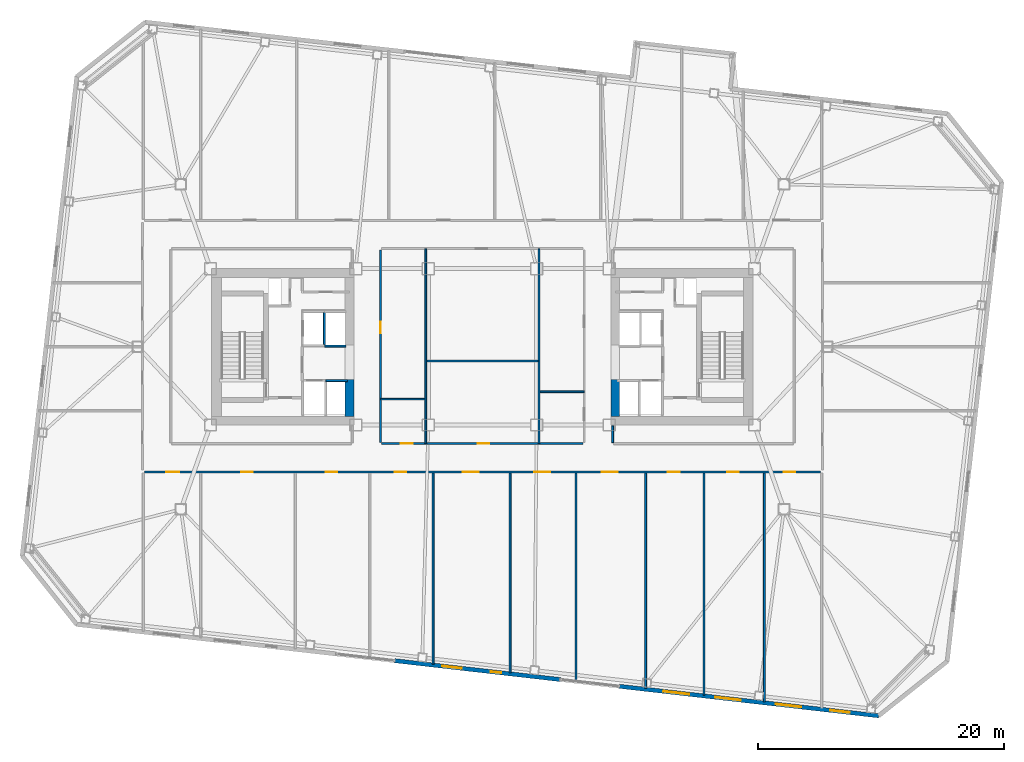
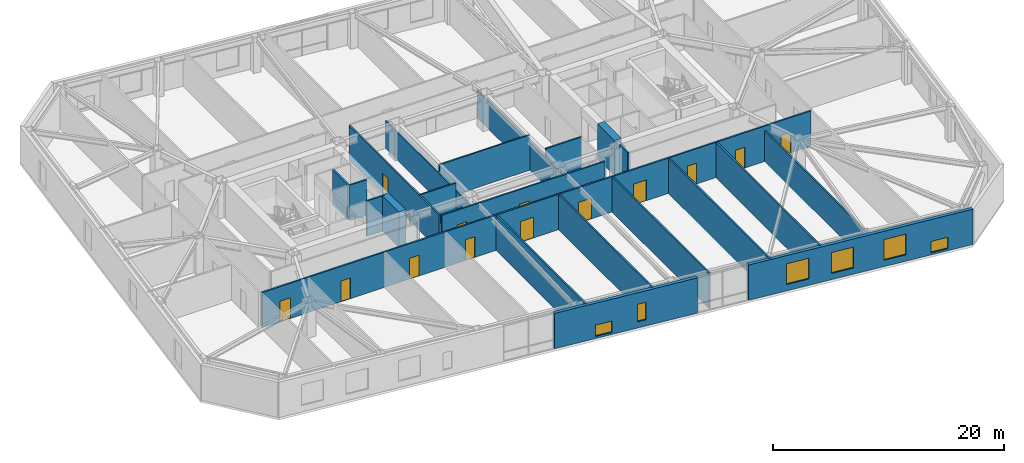
# One storey, part 13 of 22: 22 walls, 13 doors, 6 windows, 19 openings.
"""IFC4 building model written with IfcOpenShell, lengths in metres."""

from ifc_helpers import new_model, si_unit, direction, frame, frame_2d, origin, place, context, subcontext, project, spatial, rectangle, extrude, material, layer, layer_set, type_object, element, fill, save


model = new_model("IFC4")

# Units and contexts
model_context = context("Model", 3, precision=1e-05, world=origin(), true_north=direction((0.0, 1.0)))
body_context = subcontext(model_context, "Body", "Model", "MODEL_VIEW")
ifc_project = project(units=[si_unit("LENGTHUNIT", "METRE"), si_unit("AREAUNIT", "SQUARE_METRE"), si_unit("VOLUMEUNIT", "CUBIC_METRE"), si_unit("PLANEANGLEUNIT", "RADIAN"), si_unit("MASSUNIT", "GRAM", prefix="KILO")], contexts=[model_context])

# Site, building, storey
site_placement = place(None, origin())
site = spatial("IfcSite", under=ifc_project, at=site_placement, CompositionType="ELEMENT")
building_placement = place(site_placement, origin())
building = spatial("IfcBuilding", under=site, at=building_placement, Name="Tavrogorsk Clinical Tower", CompositionType="ELEMENT")
storey_placement = place(building_placement, frame((0.0, 0.0, 117.39990234375)))
storey = spatial("IfcBuildingStorey", under=building, at=storey_placement, Name="L26", CompositionType="ELEMENT", Elevation=117.39990234375)

# Walls
ifc_material_1 = material(Name="Lightweight concrete blockwork B15", Category="masonry")
ifc_layer_1 = layer(ifc_material_1, 0.139892578125)
ifc_layer_set_1 = layer_set([ifc_layer_1], Name="Lightweight concrete blockwork B15")
wall_type_1 = type_object("IfcWallType", Name="PartitionWall_140", PredefinedType="PARTITIONING", material=ifc_layer_set_1)
for number, where, z_axis, x_axis, name in (
    (1, (-4.60009765625, -7.864990234375, 0.0), (0.0, 0.0, 1.0), (0.0, 1.0, 0.0), "L26 Central Spine Partition 1"),
    (2, (4.60009765625, -7.864990234375, 0.0), (0.0, 0.0, 1.0), (0.0, 1.0, 0.0), "L26 Central Spine Partition 2"),
):
    element("IfcWall", number, at=place(storey_placement, frame(where, z_axis=z_axis, x_axis=x_axis)), inside=storey, type_object=wall_type_1, Name=name, PredefinedType="PARTITIONING", context=body_context, shape_type="SweptSolid", body=[
        extrude(rectangle(XDim=15.830078125, YDim=0.139892578125, at=frame_2d((7.9150390625, 0.0))), origin(), (0.0, 0.0, 1.0), 2.93505859375),
    ])
wall_1_placement = place(storey_placement, frame((-4.52490234375, -1.14990234375, 0.0), z_axis=(0.0, 0.0, 1.0), x_axis=(1.0, 0.0, 0.0)))
element("IfcWall", 3, at=wall_1_placement, inside=storey, type_object=wall_type_1, Name="L26 Central Spine Partition 3", PredefinedType="PARTITIONING", context=body_context, shape_type="SweptSolid", body=[
    extrude(rectangle(XDim=9.0498046875, YDim=0.139892578125, at=frame_2d((4.52490234375, 0.0))), origin(), (0.0, 0.0, 1.0), 3.739990234375),
])
for number, where, z_axis, x_axis, name in (
    (4, (-8.264892578125, -4.25, 0.0), (0.0, 0.0, 1.0), (1.0, 0.0, 0.0), "L26 Central Spine Partition 4"),
    (5, (4.675048828125, -3.64990234375, 0.0), (0.0, 0.0, 1.0), (1.0, 0.0, 0.0), "L26 Central Spine Partition 5"),
):
    element("IfcWall", number, at=place(storey_placement, frame(where, z_axis=z_axis, x_axis=x_axis)), inside=storey, type_object=wall_type_1, Name=name, PredefinedType="PARTITIONING", context=body_context, shape_type="SweptSolid", body=[
        extrude(rectangle(XDim=3.58984375, YDim=0.139892578125, at=frame_2d((1.794921875, 0.0))), origin(), (0.0, 0.0, 1.0), 3.739990234375),
    ])

# Wall, openings, doors
ifc_material_2 = material(Name="Lightweight concrete blockwork B15", Category="masonry")
ifc_layer_2 = layer(ifc_material_2, 0.159912109375)
ifc_layer_set_2 = layer_set([ifc_layer_2], Name="Lightweight concrete blockwork B15")
wall_type_2 = type_object("IfcWallType", Name="PartitionWall_160", PredefinedType="PARTITIONING", material=ifc_layer_set_2)
wall_2_placement = place(storey_placement, frame((27.465087890625, -10.179931640625, 0.0), z_axis=(0.0, 0.0, 1.0), x_axis=(-1.0, 0.0, 0.0)))
wall_2 = element("IfcWall", 6, at=wall_2_placement, inside=storey, type_object=wall_type_2, Name="L26 Corridor Partition 04", PredefinedType="PARTITIONING", context=body_context, shape_type="SweptSolid", body=[
    extrude(rectangle(XDim=54.93017578125, YDim=0.159912109375, at=frame_2d((27.465087890625, 0.0))), origin(), (0.0, 0.0, 1.0), 3.739990234375),
])
opening_1_placement = place(wall_2_placement, frame((52.10595703125, 0.0, 0.0)))
opening_1 = element("IfcOpeningElement", 7, at=opening_1_placement, cuts=wall_2, Name="Opening ID-04", PredefinedType="OPENING", context=body_context, shape_type="SweptSolid", body=[
    extrude(rectangle(XDim=1.050048828125, YDim=2.199951171875, at=frame_2d((0.52490234375, 1.10009765625))), frame((0.0, 0.08984375, 0.0), z_axis=(0.0, -1.0, 0.0), x_axis=(1.0, 0.0, 0.0)), (0.0, 0.0, 1.0), 0.179931640625),
])
opening_2_placement = place(wall_2_placement, frame((46.125, 0.0, 0.0)))
opening_2 = element("IfcOpeningElement", 8, at=opening_2_placement, cuts=wall_2, Name="Opening ID-02", PredefinedType="OPENING", context=body_context, shape_type="SweptSolid", body=[
    extrude(rectangle(XDim=0.949951171875, YDim=2.199951171875, at=frame_2d((0.47509765625, 1.10009765625))), frame((0.0, 0.08984375, 0.0), z_axis=(0.0, -1.0, 0.0), x_axis=(1.0, 0.0, 0.0)), (0.0, 0.0, 1.0), 0.179931640625),
])
opening_3_placement = place(wall_2_placement, frame((39.25, 0.0, 0.0)))
opening_3 = element("IfcOpeningElement", 9, at=opening_3_placement, cuts=wall_2, Name="Opening ID-02", PredefinedType="OPENING", context=body_context, shape_type="SweptSolid", body=[
    extrude(rectangle(XDim=0.949951171875, YDim=2.199951171875, at=frame_2d((0.47509765625, 1.10009765625))), frame((0.0, 0.08984375, 0.0), z_axis=(0.0, -1.0, 0.0), x_axis=(1.0, 0.0, 0.0)), (0.0, 0.0, 1.0), 0.179931640625),
])
opening_4_placement = place(wall_2_placement, frame((33.64990234375, 0.0, 0.0)))
opening_4 = element("IfcOpeningElement", 10, at=opening_4_placement, cuts=wall_2, Name="Opening ID-02", PredefinedType="OPENING", context=body_context, shape_type="SweptSolid", body=[
    extrude(rectangle(XDim=0.949951171875, YDim=2.199951171875, at=frame_2d((0.47509765625, 1.10009765625))), frame((0.0, 0.08984375, 0.0), z_axis=(0.0, -1.0, 0.0), x_axis=(1.0, 0.0, 0.0)), (0.0, 0.0, 1.0), 0.179931640625),
])
opening_5_placement = place(wall_2_placement, frame((27.77490234375, 0.0, 0.0)))
opening_5 = element("IfcOpeningElement", 11, at=opening_5_placement, cuts=wall_2, Name="Opening ID-01", PredefinedType="OPENING", context=body_context, shape_type="SweptSolid", body=[
    extrude(rectangle(XDim=1.300048828125, YDim=2.199951171875, at=frame_2d((0.64990234375, 1.10009765625))), frame((0.0, 0.08984375, 0.0), z_axis=(0.0, -1.0, 0.0), x_axis=(1.0, 0.0, 0.0)), (0.0, 0.0, 1.0), 0.179931640625),
])
opening_6_placement = place(wall_2_placement, frame((21.97509765625, 0.0, 0.0)))
opening_6 = element("IfcOpeningElement", 12, at=opening_6_placement, cuts=wall_2, Name="Opening ID-01", PredefinedType="OPENING", context=body_context, shape_type="SweptSolid", body=[
    extrude(rectangle(XDim=1.300048828125, YDim=2.199951171875, at=frame_2d((0.64990234375, 1.10009765625))), frame((0.0, 0.08984375, 0.0), z_axis=(0.0, -1.0, 0.0), x_axis=(1.0, 0.0, 0.0)), (0.0, 0.0, 1.0), 0.179931640625),
])
opening_7_placement = place(wall_2_placement, frame((16.47509765625, 0.0, 0.0)))
opening_7 = element("IfcOpeningElement", 13, at=opening_7_placement, cuts=wall_2, Name="Opening ID-01", PredefinedType="OPENING", context=body_context, shape_type="SweptSolid", body=[
    extrude(rectangle(XDim=1.300048828125, YDim=2.199951171875, at=frame_2d((0.64990234375, 1.10009765625))), frame((0.0, 0.08984375, 0.0), z_axis=(0.0, -1.0, 0.0), x_axis=(1.0, 0.0, 0.0)), (0.0, 0.0, 1.0), 0.179931640625),
])
opening_8_placement = place(wall_2_placement, frame((11.449951171875, 0.0, 0.0)))
opening_8 = element("IfcOpeningElement", 14, at=opening_8_placement, cuts=wall_2, Name="Opening ID-02", PredefinedType="OPENING", context=body_context, shape_type="SweptSolid", body=[
    extrude(rectangle(XDim=0.949951171875, YDim=2.199951171875, at=frame_2d((0.47509765625, 1.10009765625))), frame((0.0, 0.08984375, 0.0), z_axis=(0.0, -1.0, 0.0), x_axis=(1.0, 0.0, 0.0)), (0.0, 0.0, 1.0), 0.179931640625),
])
opening_9_placement = place(wall_2_placement, frame((6.625, 0.0, 0.0)))
opening_9 = element("IfcOpeningElement", 15, at=opening_9_placement, cuts=wall_2, Name="Opening ID-02", PredefinedType="OPENING", context=body_context, shape_type="SweptSolid", body=[
    extrude(rectangle(XDim=0.949951171875, YDim=2.199951171875, at=frame_2d((0.47509765625, 1.10009765625))), frame((0.0, 0.08984375, 0.0), z_axis=(0.0, -1.0, 0.0), x_axis=(1.0, 0.0, 0.0)), (0.0, 0.0, 1.0), 0.179931640625),
])
opening_10_placement = place(wall_2_placement, frame((2.044189453125, 0.0, 0.0)))
opening_10 = element("IfcOpeningElement", 16, at=opening_10_placement, cuts=wall_2, Name="Opening ID-02", PredefinedType="OPENING", context=body_context, shape_type="SweptSolid", body=[
    extrude(rectangle(XDim=0.949951171875, YDim=2.199951171875, at=frame_2d((0.47509765625, 1.10009765625))), frame((0.0, 0.08984375, 0.0), z_axis=(0.0, -1.0, 0.0), x_axis=(1.0, 0.0, 0.0)), (0.0, 0.0, 1.0), 0.179931640625),
])
ifc_material_3 = material(Name="Antibacterial HPL consultation door on aluminium frame", Category="aluminium")
door_type_1 = type_object("IfcDoorType", Name="ConsultDoor_ID04_1050", OperationType="NOTDEFINED", PredefinedType="DOOR", material=ifc_material_3)
door_1_placement = place(opening_1_placement, origin())
door_1 = element("IfcDoor", 17, at=door_1_placement, inside=storey, type_object=door_type_1, Name="L26 South Soiled Utility & Sluice Room 01 Door", OperationType="SINGLE_SWING_LEFT", OverallHeight=2.199951171875, OverallWidth=1.050048828125, PredefinedType="DOOR", context=body_context, shape_type="SweptSolid", body=[
    extrude(rectangle(XDim=1.050048828125, YDim=2.199951171875, at=frame_2d((0.52490234375, 1.10009765625))), frame((0.0, 0.02490234375, 0.0), z_axis=(0.0, -1.0, 0.0), x_axis=(1.0, 0.0, 0.0)), (0.0, 0.0, 1.0), 0.050048828125),
])
fill(opening_1, door_1)
ifc_material_4 = material(Name="Laminated timber leaf on aluminium frame", Category="wood")
door_type_2 = type_object("IfcDoorType", Name="InteriorDoor_ID02_950", OperationType="NOTDEFINED", PredefinedType="DOOR", material=ifc_material_4)
door_2_placement = place(opening_2_placement, origin())
door_2 = element("IfcDoor", 18, at=door_2_placement, inside=storey, type_object=door_type_2, Name="L26 South Clinical Case Seminar Room 02 Door", OperationType="SINGLE_SWING_RIGHT", OverallHeight=2.199951171875, OverallWidth=0.949951171875, PredefinedType="DOOR", context=body_context, shape_type="SweptSolid", body=[
    extrude(rectangle(XDim=0.949951171875, YDim=2.199951171875, at=frame_2d((0.47509765625, 1.10009765625))), frame((0.0, 0.02490234375, 0.0), z_axis=(0.0, -1.0, 0.0), x_axis=(1.0, 0.0, 0.0)), (0.0, 0.0, 1.0), 0.050048828125),
])
fill(opening_2, door_2)
door_3_placement = place(opening_3_placement, origin())
door_3 = element("IfcDoor", 19, at=door_3_placement, inside=storey, type_object=door_type_2, Name="L26 South Staff Rest & Nourishment Lounge 03A Door", OperationType="SINGLE_SWING_LEFT", OverallHeight=2.199951171875, OverallWidth=0.949951171875, PredefinedType="DOOR", context=body_context, shape_type="SweptSolid", body=[
    extrude(rectangle(XDim=0.949951171875, YDim=2.199951171875, at=frame_2d((0.47509765625, 1.10009765625))), frame((0.0, 0.02490234375, 0.0), z_axis=(0.0, -1.0, 0.0), x_axis=(1.0, 0.0, 0.0)), (0.0, 0.0, 1.0), 0.050048828125),
])
fill(opening_3, door_3)
door_4_placement = place(opening_4_placement, origin())
door_4 = element("IfcDoor", 20, at=door_4_placement, inside=storey, type_object=door_type_2, Name="L26 South Attending Physician Office 03B Door", OperationType="SINGLE_SWING_RIGHT", OverallHeight=2.199951171875, OverallWidth=0.949951171875, PredefinedType="DOOR", context=body_context, shape_type="SweptSolid", body=[
    extrude(rectangle(XDim=0.949951171875, YDim=2.199951171875, at=frame_2d((0.47509765625, 1.10009765625))), frame((0.0, 0.02490234375, 0.0), z_axis=(0.0, -1.0, 0.0), x_axis=(1.0, 0.0, 0.0)), (0.0, 0.0, 1.0), 0.050048828125),
])
fill(opening_4, door_4)
door_5_placement = place(opening_8_placement, origin())
door_5 = element("IfcDoor", 21, at=door_5_placement, inside=storey, type_object=door_type_2, Name="L26 South Clean Medication & Prep Room 05B Door", OperationType="SINGLE_SWING_RIGHT", OverallHeight=2.199951171875, OverallWidth=0.949951171875, PredefinedType="DOOR", context=body_context, shape_type="SweptSolid", body=[
    extrude(rectangle(XDim=0.949951171875, YDim=2.199951171875, at=frame_2d((0.47509765625, 1.10009765625))), frame((0.0, 0.02490234375, 0.0), z_axis=(0.0, -1.0, 0.0), x_axis=(1.0, 0.0, 0.0)), (0.0, 0.0, 1.0), 0.050048828125),
])
fill(opening_8, door_5)
door_6_placement = place(opening_9_placement, origin())
door_6 = element("IfcDoor", 22, at=door_6_placement, inside=storey, type_object=door_type_2, Name="L26 South Soiled Utility & Sluice Room 06 Door", OperationType="SINGLE_SWING_LEFT", OverallHeight=2.199951171875, OverallWidth=0.949951171875, PredefinedType="DOOR", context=body_context, shape_type="SweptSolid", body=[
    extrude(rectangle(XDim=0.949951171875, YDim=2.199951171875, at=frame_2d((0.47509765625, 1.10009765625))), frame((0.0, 0.02490234375, 0.0), z_axis=(0.0, -1.0, 0.0), x_axis=(1.0, 0.0, 0.0)), (0.0, 0.0, 1.0), 0.050048828125),
])
fill(opening_9, door_6)
door_7_placement = place(opening_10_placement, origin())
door_7 = element("IfcDoor", 23, at=door_7_placement, inside=storey, type_object=door_type_2, Name="L26 South Clinical Case Seminar Room 07 Door", OperationType="SINGLE_SWING_RIGHT", OverallHeight=2.199951171875, OverallWidth=0.949951171875, PredefinedType="DOOR", context=body_context, shape_type="SweptSolid", body=[
    extrude(rectangle(XDim=0.949951171875, YDim=2.199951171875, at=frame_2d((0.47509765625, 1.10009765625))), frame((0.0, 0.02490234375, 0.0), z_axis=(0.0, -1.0, 0.0), x_axis=(1.0, 0.0, 0.0)), (0.0, 0.0, 1.0), 0.050048828125),
])
fill(opening_10, door_7)
ifc_material_5 = material(Name="Antibacterial HPL medical leaf on aluminium frame", Category="aluminium")
door_type_3 = type_object("IfcDoorType", Name="WardBedDoor_ID01_1300", OperationType="NOTDEFINED", PredefinedType="DOOR", material=ifc_material_5)
door_8_placement = place(opening_5_placement, origin())
door_8 = element("IfcDoor", 24, at=door_8_placement, inside=storey, type_object=door_type_3, Name="L26 South Bariatric Observation Ward 04A Door", OperationType="SINGLE_SWING_LEFT", OverallHeight=2.199951171875, OverallWidth=1.300048828125, PredefinedType="DOOR", context=body_context, shape_type="SweptSolid", body=[
    extrude(rectangle(XDim=1.300048828125, YDim=2.199951171875, at=frame_2d((0.64990234375, 1.10009765625))), frame((0.0, 0.02490234375, 0.0), z_axis=(0.0, -1.0, 0.0), x_axis=(1.0, 0.0, 0.0)), (0.0, 0.0, 1.0), 0.050048828125),
])
fill(opening_5, door_8)
door_9_placement = place(opening_6_placement, origin())
door_9 = element("IfcDoor", 25, at=door_9_placement, inside=storey, type_object=door_type_3, Name="L26 South Acute Medical Ward 04B Door", OperationType="SINGLE_SWING_RIGHT", OverallHeight=2.199951171875, OverallWidth=1.300048828125, PredefinedType="DOOR", context=body_context, shape_type="SweptSolid", body=[
    extrude(rectangle(XDim=1.300048828125, YDim=2.199951171875, at=frame_2d((0.64990234375, 1.10009765625))), frame((0.0, 0.02490234375, 0.0), z_axis=(0.0, -1.0, 0.0), x_axis=(1.0, 0.0, 0.0)), (0.0, 0.0, 1.0), 0.050048828125),
])
fill(opening_6, door_9)
door_10_placement = place(opening_7_placement, origin())
door_10 = element("IfcDoor", 26, at=door_10_placement, inside=storey, type_object=door_type_3, Name="L26 South Surgical Step-Down Ward 05A Door", OperationType="SINGLE_SWING_LEFT", OverallHeight=2.199951171875, OverallWidth=1.300048828125, PredefinedType="DOOR", context=body_context, shape_type="SweptSolid", body=[
    extrude(rectangle(XDim=1.300048828125, YDim=2.199951171875, at=frame_2d((0.64990234375, 1.10009765625))), frame((0.0, 0.02490234375, 0.0), z_axis=(0.0, -1.0, 0.0), x_axis=(1.0, 0.0, 0.0)), (0.0, 0.0, 1.0), 0.050048828125),
])
fill(opening_7, door_10)

# Wall
wall_3_placement = place(storey_placement, frame((10.580078125, -6.419921875, 0.0), z_axis=(0.0, 0.0, 1.0), x_axis=(0.0, -1.0, 0.0)))
element("IfcWall", 27, at=wall_3_placement, inside=storey, type_object=wall_type_2, Name="L26 Corridor Partition 07", PredefinedType="PARTITIONING", context=body_context, shape_type="SweptSolid", body=[
    extrude(rectangle(XDim=1.364990234375, YDim=0.159912109375, at=frame_2d((0.6826171875, 0.0))), origin(), (0.0, 0.0, 1.0), 3.739990234375),
])

# Wall, opening, door
wall_4_placement = place(storey_placement, frame((-8.27001953125, 7.885009765625, 0.0), z_axis=(0.0, 0.0, 1.0), x_axis=(0.0, -1.0, 0.0)))
wall_4 = element("IfcWall", 28, at=wall_4_placement, inside=storey, type_object=wall_type_2, Name="L26 Corridor Partition 12", PredefinedType="PARTITIONING", context=body_context, shape_type="SweptSolid", body=[
    extrude(rectangle(XDim=15.669921875, YDim=0.159912109375, at=frame_2d((7.8349609375, 0.0))), origin(), (0.0, 0.0, 1.0), 3.739990234375),
])
opening_11_placement = place(wall_4_placement, frame((5.8291015625, 0.0, 0.0)))
opening_11 = element("IfcOpeningElement", 29, at=opening_11_placement, cuts=wall_4, Name="Opening ID-02", PredefinedType="OPENING", context=body_context, shape_type="SweptSolid", body=[
    extrude(rectangle(XDim=0.949951171875, YDim=2.199951171875, at=frame_2d((0.47509765625, 1.10009765625))), frame((0.0, 0.08984375, 0.0), z_axis=(0.0, -1.0, 0.0), x_axis=(1.0, 0.0, 0.0)), (0.0, 0.0, 1.0), 0.179931640625),
])
door_11_placement = place(opening_11_placement, origin())
door_11 = element("IfcDoor", 30, at=door_11_placement, inside=storey, type_object=door_type_2, Name="L26 Ward Nourishment Pantry Door", OperationType="SINGLE_SWING_RIGHT", OverallHeight=2.199951171875, OverallWidth=0.949951171875, PredefinedType="DOOR", context=body_context, shape_type="SweptSolid", body=[
    extrude(rectangle(XDim=0.949951171875, YDim=2.199951171875, at=frame_2d((0.47509765625, 1.10009765625))), frame((0.0, 0.02490234375, 0.0), z_axis=(0.0, -1.0, 0.0), x_axis=(1.0, 0.0, 0.0)), (0.0, 0.0, 1.0), 0.050048828125),
])
fill(opening_11, door_11)

# Wall, openings, doors
wall_5_placement = place(storey_placement, frame((-8.18505859375, -7.8701171875, 0.0), z_axis=(0.0, 0.0, 1.0), x_axis=(1.0, 0.0, 0.0)))
wall_5 = element("IfcWall", 31, at=wall_5_placement, inside=storey, type_object=wall_type_2, Name="L26 Corridor Partition 13", PredefinedType="PARTITIONING", context=body_context, shape_type="SweptSolid", body=[
    extrude(rectangle(XDim=16.3701171875, YDim=0.159912109375, at=frame_2d((8.18505859375, 0.0))), origin(), (0.0, 0.0, 1.0), 3.739990234375),
])
opening_12_placement = place(wall_5_placement, frame((1.55419921875, 0.0, 0.0)))
opening_12 = element("IfcOpeningElement", 32, at=opening_12_placement, cuts=wall_5, Name="Opening ID-02", PredefinedType="OPENING", context=body_context, shape_type="SweptSolid", body=[
    extrude(rectangle(XDim=0.949951171875, YDim=2.199951171875, at=frame_2d((0.47509765625, 1.10009765625))), frame((0.0, 0.08984375, 0.0), z_axis=(0.0, -1.0, 0.0), x_axis=(1.0, 0.0, 0.0)), (0.0, 0.0, 1.0), 0.179931640625),
])
opening_13_placement = place(wall_5_placement, frame((7.794921875, 0.0, 0.0)))
opening_13 = element("IfcOpeningElement", 33, at=opening_13_placement, cuts=wall_5, Name="Opening ID-02", PredefinedType="OPENING", context=body_context, shape_type="SweptSolid", body=[
    extrude(rectangle(XDim=0.949951171875, YDim=2.199951171875, at=frame_2d((0.47509765625, 1.10009765625))), frame((0.0, 0.08984375, 0.0), z_axis=(0.0, -1.0, 0.0), x_axis=(1.0, 0.0, 0.0)), (0.0, 0.0, 1.0), 0.179931640625),
])
door_12_placement = place(opening_12_placement, origin())
door_12 = element("IfcDoor", 34, at=door_12_placement, inside=storey, type_object=door_type_2, Name="L26 Accessible Patient Lavatory Door", OperationType="SINGLE_SWING_LEFT", OverallHeight=2.199951171875, OverallWidth=0.949951171875, PredefinedType="DOOR", context=body_context, shape_type="SweptSolid", body=[
    extrude(rectangle(XDim=0.949951171875, YDim=2.199951171875, at=frame_2d((0.47509765625, 1.10009765625))), frame((0.0, 0.02490234375, 0.0), z_axis=(0.0, -1.0, 0.0), x_axis=(1.0, 0.0, 0.0)), (0.0, 0.0, 1.0), 0.050048828125),
])
fill(opening_12, door_12)
door_13_placement = place(opening_13_placement, origin())
door_13 = element("IfcDoor", 35, at=door_13_placement, inside=storey, type_object=door_type_2, Name="L26 Multidisciplinary Conference Room Door", OperationType="SINGLE_SWING_LEFT", OverallHeight=2.199951171875, OverallWidth=0.949951171875, PredefinedType="DOOR", context=body_context, shape_type="SweptSolid", body=[
    extrude(rectangle(XDim=0.949951171875, YDim=2.199951171875, at=frame_2d((0.47509765625, 1.10009765625))), frame((0.0, 0.02490234375, 0.0), z_axis=(0.0, -1.0, 0.0), x_axis=(1.0, 0.0, 0.0)), (0.0, 0.0, 1.0), 0.050048828125),
])
fill(opening_13, door_13)

# Walls
wall_6_placement = place(storey_placement, frame((-4.0, -25.789794921875, 0.0), z_axis=(0.0, 0.0, 1.0), x_axis=(0.0, 1.0, 0.0)))
element("IfcWall", 36, at=wall_6_placement, inside=storey, type_object=wall_type_2, Name="L26 South Room Partition 3", PredefinedType="PARTITIONING", context=body_context, shape_type="SweptSolid", body=[
    extrude(rectangle(XDim=15.52490234375, YDim=0.159912109375, at=frame_2d((7.762451171875, 0.0))), origin(), (0.0, 0.0, 1.0), 3.739990234375),
])
wall_7_placement = place(storey_placement, frame((7.60009765625, -27.111328125, 0.0), z_axis=(0.0, 0.0, 1.0), x_axis=(0.0, 1.0, 0.0)))
element("IfcWall", 37, at=wall_7_placement, inside=storey, type_object=wall_type_2, Name="L26 South Room Partition 4", PredefinedType="PARTITIONING", context=body_context, shape_type="SweptSolid", body=[
    extrude(rectangle(XDim=16.846435546875, YDim=0.159912109375, at=frame_2d((8.42333984375, 0.0))), origin(), (0.0, 0.0, 1.0), 3.739990234375),
])
wall_8_placement = place(storey_placement, frame((18.0, -28.29638671875, 0.0), z_axis=(0.0, 0.0, 1.0), x_axis=(0.0, 1.0, 0.0)))
element("IfcWall", 38, at=wall_8_placement, inside=storey, type_object=wall_type_2, Name="L26 South Room Partition 5", PredefinedType="PARTITIONING", context=body_context, shape_type="SweptSolid", body=[
    extrude(rectangle(XDim=18.031494140625, YDim=0.159912109375, at=frame_2d((9.015625, 0.0))), origin(), (0.0, 0.0, 1.0), 3.739990234375),
])
wall_9_placement = place(storey_placement, frame((22.89990234375, -28.8544921875, 0.0), z_axis=(0.0, 0.0, 1.0), x_axis=(0.0, 1.0, 0.0)))
element("IfcWall", 39, at=wall_9_placement, inside=storey, type_object=wall_type_2, Name="L26 South Room Partition 6", PredefinedType="PARTITIONING", context=body_context, shape_type="SweptSolid", body=[
    extrude(rectangle(XDim=18.589599609375, YDim=0.159912109375, at=frame_2d((9.294921875, 0.0))), origin(), (0.0, 0.0, 1.0), 3.235107421875),
])
wall_10_placement = place(storey_placement, frame((2.25, -26.501708984375, 0.0), z_axis=(0.0, 0.0, 1.0), x_axis=(0.0, 1.0, 0.0)))
element("IfcWall", 40, at=wall_10_placement, inside=storey, type_object=wall_type_2, Name="L26 South Sub-Partition 4", PredefinedType="PARTITIONING", context=body_context, shape_type="SweptSolid", body=[
    extrude(rectangle(XDim=16.23681640625, YDim=0.159912109375, at=frame_2d((8.118408203125, 0.0))), origin(), (0.0, 0.0, 1.0), 3.739990234375),
])
wall_11_placement = place(storey_placement, frame((13.25, -27.755126953125, 0.0), z_axis=(0.0, 0.0, 1.0), x_axis=(0.0, 1.0, 0.0)))
element("IfcWall", 41, at=wall_11_placement, inside=storey, type_object=wall_type_2, Name="L26 South Sub-Partition 5", PredefinedType="PARTITIONING", context=body_context, shape_type="SweptSolid", body=[
    extrude(rectangle(XDim=17.490234375, YDim=0.159912109375, at=frame_2d((8.7451171875, 0.0))), origin(), (0.0, 0.0, 1.0), 3.739990234375),
])

# Wall, openings, windows
ifc_material_6 = material(Name="Precast concrete B45 with limestone cladding", Category="masonry")
ifc_layer_3 = layer(ifc_material_6, 0.340087890625)
ifc_layer_set_3 = layer_set([ifc_layer_3], Name="Precast concrete B45 with limestone cladding")
wall_type_3 = type_object("IfcWallType", Name="PrecastLimestoneWall_340", PredefinedType="STANDARD", material=ifc_layer_set_3)
wall_12_placement = place(storey_placement, frame((-7.121826171875, -25.50439453125, 0.0), z_axis=(0.0, 0.0, 1.0), x_axis=(0.993571685551, -0.11320470693, 0.0)))
wall_12 = element("IfcWall", 42, at=wall_12_placement, inside=storey, type_object=wall_type_3, Name="L26 S Limestone Facade Wall 2", PredefinedType="STANDARD", context=body_context, shape_type="SweptSolid", body=[
    extrude(rectangle(XDim=13.554443359375, YDim=0.340087890625, at=frame_2d((6.77734375, 0.0))), origin(), (0.0, 0.0, 1.0), 3.739990234375),
])
opening_14_placement = place(wall_12_placement, frame((3.866455078125, 0.0, 0.219970703125)))
opening_14 = element("IfcOpeningElement", 43, at=opening_14_placement, cuts=wall_12, Name="Opening WN-09", PredefinedType="OPENING", context=body_context, shape_type="SweptSolid", body=[
    extrude(rectangle(XDim=1.60009765625, YDim=1.199951171875, at=frame_2d((0.800048828125, 0.60009765625))), frame((0.0, 0.179931640625, 0.0), z_axis=(0.0, -1.0, 0.0), x_axis=(1.0, 0.0, 0.0)), (0.0, 0.0, 1.0), 0.360107421875),
])
opening_15_placement = place(wall_12_placement, frame((7.837890625, 0.0, 0.669921875)))
opening_15 = element("IfcOpeningElement", 44, at=opening_15_placement, cuts=wall_12, Name="Opening WN-06", PredefinedType="OPENING", context=body_context, shape_type="SweptSolid", body=[
    extrude(rectangle(XDim=0.85009765625, YDim=1.85009765625, at=frame_2d((0.425048828125, 0.925048828125))), frame((0.0, 0.179931640625, 0.0), z_axis=(0.0, -1.0, 0.0), x_axis=(1.0, 0.0, 0.0)), (0.0, 0.0, 1.0), 0.360107421875),
])
ifc_material_7 = material(Name="Thermally broken aluminium frame and triple IGU", Category="aluminium")
window_type_1 = type_object("IfcWindowType", Name="LowHeadTransWin_1600x1200", PartitioningType="DOUBLE_PANEL_VERTICAL", PredefinedType="WINDOW", material=ifc_material_7)
window_1_placement = place(opening_14_placement, origin())
window_1 = element("IfcWindow", 45, at=window_1_placement, inside=storey, type_object=window_type_1, Name="L26 S Chicago Window 05", OverallHeight=1.199951171875, OverallWidth=1.60009765625, PartitioningType="SINGLE_PANEL", PredefinedType="WINDOW", context=body_context, shape_type="SweptSolid", body=[
    extrude(rectangle(XDim=1.60009765625, YDim=1.199951171875, at=frame_2d((0.800048828125, 0.60009765625))), frame((0.0, 0.030029296875, 0.0), z_axis=(0.0, -1.0, 0.0), x_axis=(1.0, 0.0, 0.0)), (0.0, 0.0, 1.0), 0.06005859375),
])
fill(opening_14, window_1)
ifc_material_8 = material(Name="Thermally broken aluminium frame and triple IGU", Category="aluminium")
window_type_2 = type_object("IfcWindowType", Name="MullionSubWin_850x1850", PartitioningType="SINGLE_PANEL", PredefinedType="WINDOW", material=ifc_material_8)
window_2_placement = place(opening_15_placement, origin())
window_2 = element("IfcWindow", 46, at=window_2_placement, inside=storey, type_object=window_type_2, Name="L26 S Mullion Split Window 06A", OverallHeight=1.85009765625, OverallWidth=0.85009765625, PartitioningType="SINGLE_PANEL", PredefinedType="WINDOW", context=body_context, shape_type="SweptSolid", body=[
    extrude(rectangle(XDim=0.85009765625, YDim=1.85009765625, at=frame_2d((0.425048828125, 0.925048828125))), frame((0.0, 0.030029296875, 0.0), z_axis=(0.0, -1.0, 0.0), x_axis=(1.0, 0.0, 0.0)), (0.0, 0.0, 1.0), 0.06005859375),
])
fill(opening_15, window_2)

wall_13_placement = place(storey_placement, frame((11.114501953125, -27.582275390625, 0.0), z_axis=(0.0, 0.0, 1.0), x_axis=(0.993572655904, -0.113196190044, 0.0)))
wall_13 = element("IfcWall", 47, at=wall_13_placement, inside=storey, type_object=wall_type_3, Name="L26 S Limestone Facade Wall 3", PredefinedType="STANDARD", context=body_context, shape_type="SweptSolid", body=[
    extrude(rectangle(XDim=21.222900390625, YDim=0.340087890625, at=frame_2d((10.611328125, 0.0))), origin(), (0.0, 0.0, 1.0), 3.739990234375),
])
opening_16_placement = place(wall_13_placement, frame((3.616455078125, 0.0, 0.669921875)))
opening_16 = element("IfcOpeningElement", 48, at=opening_16_placement, cuts=wall_13, Name="Opening WN-03", PredefinedType="OPENING", context=body_context, shape_type="SweptSolid", body=[
    extrude(rectangle(XDim=2.10009765625, YDim=2.199951171875, at=frame_2d((1.050048828125, 1.10009765625))), frame((0.0, 0.179931640625, 0.0), z_axis=(0.0, -1.0, 0.0), x_axis=(1.0, 0.0, 0.0)), (0.0, 0.0, 1.0), 0.360107421875),
])
opening_17_placement = place(wall_13_placement, frame((7.837890625, 0.0, 0.669921875)))
opening_17 = element("IfcOpeningElement", 49, at=opening_17_placement, cuts=wall_13, Name="Opening WN-03", PredefinedType="OPENING", context=body_context, shape_type="SweptSolid", body=[
    extrude(rectangle(XDim=2.10009765625, YDim=2.199951171875, at=frame_2d((1.050048828125, 1.10009765625))), frame((0.0, 0.179931640625, 0.0), z_axis=(0.0, -1.0, 0.0), x_axis=(1.0, 0.0, 0.0)), (0.0, 0.0, 1.0), 0.360107421875),
])
opening_18_placement = place(wall_13_placement, frame((12.793701171875, 0.0, 0.669921875)))
opening_18 = element("IfcOpeningElement", 50, at=opening_18_placement, cuts=wall_13, Name="Opening WN-03", PredefinedType="OPENING", context=body_context, shape_type="SweptSolid", body=[
    extrude(rectangle(XDim=2.10009765625, YDim=2.199951171875, at=frame_2d((1.050048828125, 1.10009765625))), frame((0.0, 0.179931640625, 0.0), z_axis=(0.0, -1.0, 0.0), x_axis=(1.0, 0.0, 0.0)), (0.0, 0.0, 1.0), 0.360107421875),
])
opening_19_placement = place(wall_13_placement, frame((17.264892578125, 0.0, 0.219970703125)))
opening_19 = element("IfcOpeningElement", 51, at=opening_19_placement, cuts=wall_13, Name="Opening WN-09", PredefinedType="OPENING", context=body_context, shape_type="SweptSolid", body=[
    extrude(rectangle(XDim=1.60009765625, YDim=1.199951171875, at=frame_2d((0.800048828125, 0.60009765625))), frame((0.0, 0.179931640625, 0.0), z_axis=(0.0, -1.0, 0.0), x_axis=(1.0, 0.0, 0.0)), (0.0, 0.0, 1.0), 0.360107421875),
])
window_3_placement = place(opening_19_placement, origin())
window_3 = element("IfcWindow", 52, at=window_3_placement, inside=storey, type_object=window_type_1, Name="L26 S Chicago Window 10", OverallHeight=1.199951171875, OverallWidth=1.60009765625, PartitioningType="SINGLE_PANEL", PredefinedType="WINDOW", context=body_context, shape_type="SweptSolid", body=[
    extrude(rectangle(XDim=1.60009765625, YDim=1.199951171875, at=frame_2d((0.800048828125, 0.60009765625))), frame((0.0, 0.030029296875, 0.0), z_axis=(0.0, -1.0, 0.0), x_axis=(1.0, 0.0, 0.0)), (0.0, 0.0, 1.0), 0.06005859375),
])
fill(opening_19, window_3)
ifc_material_9 = material(Name="Thermally broken aluminium frame and triple IGU", Category="aluminium")
window_type_3 = type_object("IfcWindowType", Name="PatientTwinWin_2100x2200", PartitioningType="DOUBLE_PANEL_VERTICAL", PredefinedType="WINDOW", material=ifc_material_9)
window_4_placement = place(opening_16_placement, origin())
window_4 = element("IfcWindow", 53, at=window_4_placement, inside=storey, type_object=window_type_3, Name="L26 S Chicago Window 07", OverallHeight=2.199951171875, OverallWidth=2.10009765625, PartitioningType="SINGLE_PANEL", PredefinedType="WINDOW", context=body_context, shape_type="SweptSolid", body=[
    extrude(rectangle(XDim=2.10009765625, YDim=2.199951171875, at=frame_2d((1.050048828125, 1.10009765625))), frame((0.0, 0.030029296875, 0.0), z_axis=(0.0, -1.0, 0.0), x_axis=(1.0, 0.0, 0.0)), (0.0, 0.0, 1.0), 0.06005859375),
])
fill(opening_16, window_4)
window_5_placement = place(opening_17_placement, origin())
window_5 = element("IfcWindow", 54, at=window_5_placement, inside=storey, type_object=window_type_3, Name="L26 S Chicago Window 08", OverallHeight=2.199951171875, OverallWidth=2.10009765625, PartitioningType="SINGLE_PANEL", PredefinedType="WINDOW", context=body_context, shape_type="SweptSolid", body=[
    extrude(rectangle(XDim=2.10009765625, YDim=2.199951171875, at=frame_2d((1.050048828125, 1.10009765625))), frame((0.0, 0.030029296875, 0.0), z_axis=(0.0, -1.0, 0.0), x_axis=(1.0, 0.0, 0.0)), (0.0, 0.0, 1.0), 0.06005859375),
])
fill(opening_17, window_5)
window_6_placement = place(opening_18_placement, origin())
window_6 = element("IfcWindow", 55, at=window_6_placement, inside=storey, type_object=window_type_3, Name="L26 S Chicago Window 09", OverallHeight=2.199951171875, OverallWidth=2.10009765625, PartitioningType="SINGLE_PANEL", PredefinedType="WINDOW", context=body_context, shape_type="SweptSolid", body=[
    extrude(rectangle(XDim=2.10009765625, YDim=2.199951171875, at=frame_2d((1.050048828125, 1.10009765625))), frame((0.0, 0.030029296875, 0.0), z_axis=(0.0, -1.0, 0.0), x_axis=(1.0, 0.0, 0.0)), (0.0, 0.0, 1.0), 0.06005859375),
])
fill(opening_18, window_6)

# Walls
ifc_material_10 = material(Name="Lightweight concrete blockwork B25", Category="masonry")
ifc_layer_4 = layer(ifc_material_10, 0.159912109375)
ifc_layer_set_4 = layer_set([ifc_layer_4], Name="Lightweight concrete blockwork B25")
wall_type_4 = type_object("IfcWallType", Name="ShaftWall_160", PredefinedType="PARTITIONING", material=ifc_layer_set_4)
wall_14_placement = place(storey_placement, frame((-12.840087890625, 0.179931640625, 0.0), z_axis=(0.0, 0.0, 1.0), x_axis=(0.0, 1.0, 0.0)))
element("IfcWall", 56, at=wall_14_placement, inside=storey, type_object=wall_type_4, Name="L26 FFL-W Shaft Back Wall", PredefinedType="PARTITIONING", context=body_context, shape_type="SweptSolid", body=[
    extrude(rectangle(XDim=2.6201171875, YDim=0.159912109375, at=frame_2d((1.31005859375, 0.0))), origin(), (0.0, 0.0, 1.0), 3.739990234375),
])
wall_15_placement = place(storey_placement, frame((-12.72998046875, -2.75, 0.0), z_axis=(0.0, 0.0, 1.0), x_axis=(1.0, 0.0, 0.0)))
element("IfcWall", 57, at=wall_15_placement, inside=storey, type_object=wall_type_4, Name="L26 LP-M1 Lift Shaft Portal Wall", PredefinedType="PARTITIONING", context=body_context, shape_type="SweptSolid", body=[
    extrude(rectangle(XDim=1.760009765625, YDim=0.159912109375, at=frame_2d((0.8798828125, 0.0))), origin(), (0.0, 0.0, 1.0), 3.739990234375),
])
wall_16_placement = place(storey_placement, frame((-12.820068359375, 0.06005859375, 0.0), z_axis=(0.0, 0.0, 1.0), x_axis=(1.0, 0.0, 0.0)))
element("IfcWall", 58, at=wall_16_placement, inside=storey, type_object=wall_type_4, Name="L26 LP-H1 High-Zone Lift Portal Wall", PredefinedType="PARTITIONING", context=body_context, shape_type="SweptSolid", body=[
    extrude(rectangle(XDim=1.719970703125, YDim=0.159912109375, at=frame_2d((0.85986328125, 0.0))), origin(), (0.0, 0.0, 1.0), 3.739990234375),
])
ifc_material_11 = material(Name="Concrete B80", Category="concrete")
ifc_layer_5 = layer(ifc_material_11, 0.699951171875)
ifc_layer_set_5 = layer_set([ifc_layer_5], Name="Concrete B80")
wall_type_5 = type_object("IfcWallType", Name="ShearWall_700", PredefinedType="SHEAR", material=ifc_layer_set_5)
for number, where, z_axis, x_axis, name in (
    (59, (-10.800048828125, -5.64990234375, 0.0), (0.0, 0.0, 1.0), (0.0, 1.0, 0.0), "L26 Core West Inner South Pier"),
    (60, (10.800048828125, -5.64990234375, 0.0), (0.0, 0.0, 1.0), (0.0, 1.0, 0.0), "L26 Core East Inner South Pier"),
):
    element("IfcWall", number, at=place(storey_placement, frame(where, z_axis=z_axis, x_axis=x_axis)), inside=storey, type_object=wall_type_5, Name=name, PredefinedType="SHEAR", context=body_context, shape_type="SweptSolid", body=[
        extrude(rectangle(XDim=3.0, YDim=0.699951171875, at=frame_2d((1.5, 0.0))), origin(), (0.0, 0.0, 1.0), 3.739990234375),
    ])

save(model, "model.ifc")
